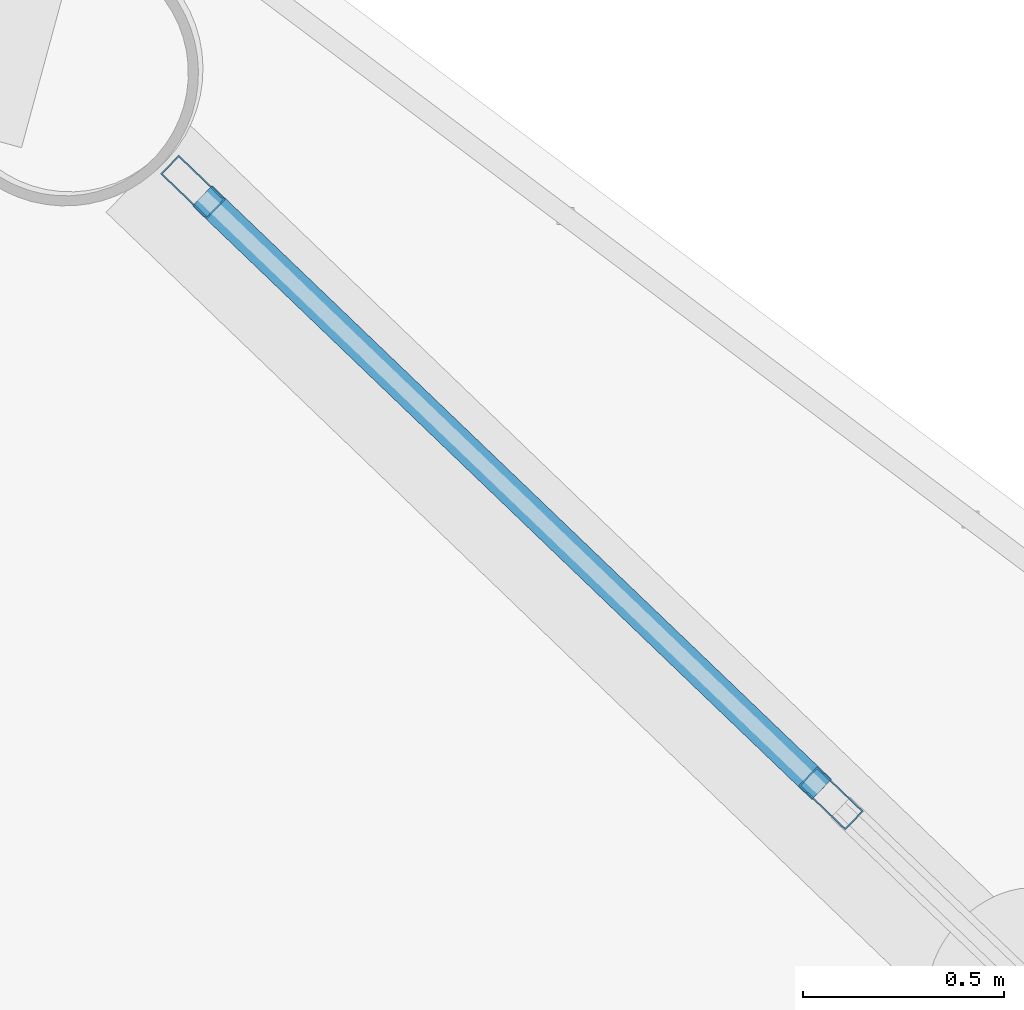
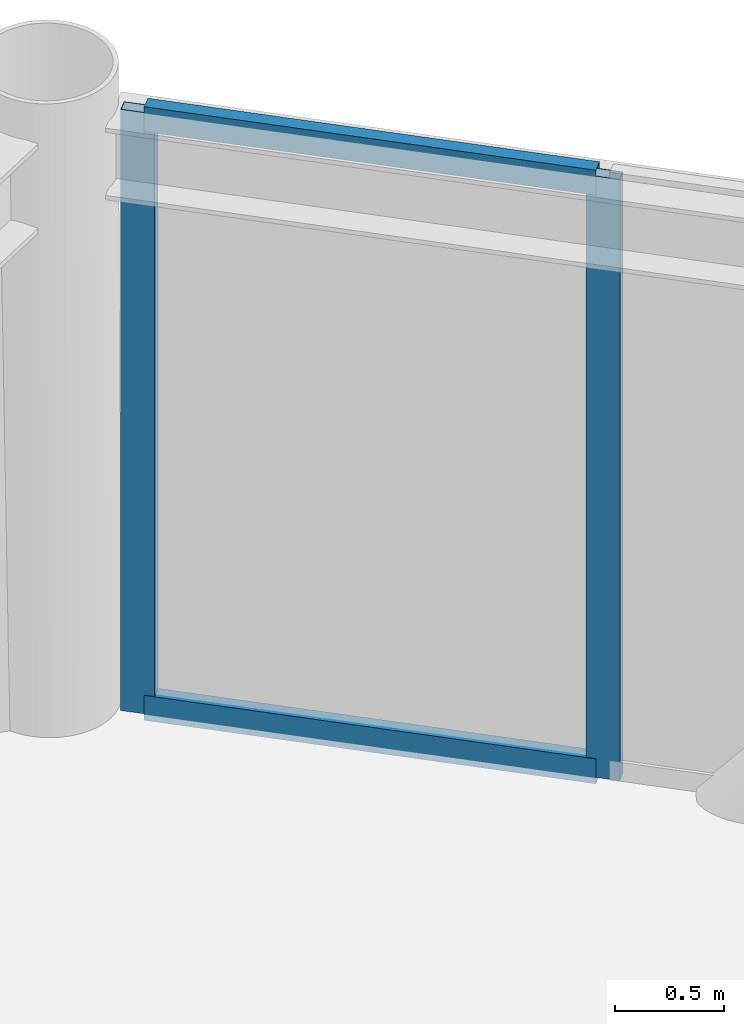
# One storey, part 21 of 28: 4 members, 1 element without a shape of its own.
"""IFC4 building model written with IfcOpenShell, lengths in metres."""

from ifc_helpers import new_model, si_unit, direction, frame, origin, origin_2d, place, context, subcontext, project, spatial, hollow_rectangle, extrude, material, layer, layer_set, material_profile, profile_set, type_object, element, aggregate, save


model = new_model("IFC4")

# Units and contexts
model_context = context("Model", 3, precision=1e-05, world=origin(), true_north=direction((0.0, 1.0)))
body_context = subcontext(model_context, "Body", "Model", "MODEL_VIEW")
ifc_project = project(units=[si_unit("LENGTHUNIT", "METRE"), si_unit("AREAUNIT", "SQUARE_METRE"), si_unit("VOLUMEUNIT", "CUBIC_METRE"), si_unit("PLANEANGLEUNIT", "RADIAN"), si_unit("MASSUNIT", "GRAM", prefix="KILO")], contexts=[model_context])

# Site, building, storey
site_placement = place(None, origin())
site = spatial("IfcSite", under=ifc_project, at=site_placement, CompositionType="ELEMENT")
building_placement = place(site_placement, origin())
building = spatial("IfcBuilding", under=site, at=building_placement, Name="Varnakorn Sky Granary", CompositionType="ELEMENT")
storey_placement = place(building_placement, frame((0.0, 0.0, 207.60009765625)))
storey = spatial("IfcBuildingStorey", under=building, at=storey_placement, Name="L52", CompositionType="ELEMENT", Elevation=207.60009765625)

# Curtain wall, members
ifc_material = material(Name="Anodised Bronze Aluminium Alloy 6063-T6", Category="aluminium")
ifc_layer = layer(ifc_material, 0.169921875, Name="Anodised Bronze Aluminium Alloy 6063-T6")
ifc_layer_set = layer_set([ifc_layer], Name="Anodised Bronze Aluminium Alloy 6063-T6")
curtain_wall_type = type_object("IfcCurtainWallType", Name="CW-LAB-1", PredefinedType="USERDEFINED", material=ifc_layer_set)
curtain_wall_placement = place(storey_placement, origin())
curtain_wall = element("IfcCurtainWall", 1, at=curtain_wall_placement, inside=storey, type_object=curtain_wall_type, Name="Unitised Curtain Wall CW5 CW-L52-B02", ObjectType="CURTAIN WALL", PredefinedType="USERDEFINED")
ifc_material_profile_1 = material_profile(ifc_material, hollow_rectangle(XDim=0.06494140625, YDim=0.159912109375, WallThickness=0.00341796875, at=origin_2d()), Name="ALU MULL 65x160")
ifc_profile_set_1 = profile_set([ifc_material_profile_1], Name="Anodised Bronze Aluminium Alloy 6063-T6")
member_type_1 = type_object("IfcMemberType", Name="CW-LAB-1-MULL", PredefinedType="MULLION", material=ifc_profile_set_1)
member_1_placement = place(storey_placement, frame((14.70751953125, 15.564453125, 0.0), z_axis=(0.0, 0.0, 1.0), x_axis=(0.691923166337, 0.721971143389, 0.0)))
member_1 = element("IfcMember", 2, at=member_1_placement, type_object=member_type_1, Name="CW5 mullion 1", PredefinedType="MULLION", context=body_context, shape_type="SweptSolid", body=[
    extrude(hollow_rectangle(XDim=0.06494140625, YDim=0.159912109375, WallThickness=0.00341796875, at=origin_2d()), origin(), (0.0, 0.0, 1.0), 3.35986328125),
])
member_2_placement = place(storey_placement, frame((16.29150390625, 14.04638671875, 0.0), z_axis=(0.0, 0.0, 1.0), x_axis=(0.691923166337, 0.721971143389, 0.0)))
member_2 = element("IfcMember", 3, at=member_2_placement, type_object=member_type_1, Name="CW5 mullion 2", PredefinedType="MULLION", context=body_context, shape_type="SweptSolid", body=[
    extrude(hollow_rectangle(XDim=0.06494140625, YDim=0.159912109375, WallThickness=0.00341796875, at=origin_2d()), origin(), (0.0, 0.0, 1.0), 3.35986328125),
])
ifc_material_profile_2 = material_profile(ifc_material, hollow_rectangle(XDim=0.070068359375, YDim=0.139892578125, WallThickness=0.00341796875, at=origin_2d()), Name="ALU TRAN 70x140")
ifc_profile_set_2 = profile_set([ifc_material_profile_2], Name="Anodised Bronze Aluminium Alloy 6063-T6")
member_type_2 = type_object("IfcMemberType", Name="CW-LAB-1-TRAN", PredefinedType="USERDEFINED", material=ifc_profile_set_2)
member_3_placement = place(storey_placement, frame((14.73095703125, 15.5419921875, 0.034912109375), z_axis=(0.72196911029, -0.691925287721, 0.0), x_axis=(0.691925287721, 0.72196911029, 0.0)))
member_3 = element("IfcMember", 4, at=member_3_placement, type_object=member_type_2, Name="CW5 transom 1.1", ObjectType="TRANSOM", PredefinedType="USERDEFINED", context=body_context, shape_type="SweptSolid", body=[
    extrude(hollow_rectangle(XDim=0.070068359375, YDim=0.139892578125, WallThickness=0.00341796875, at=origin_2d()), origin(), (0.0, 0.0, 1.0), 2.129150390625),
])
member_4_placement = place(storey_placement, frame((14.73095703125, 15.5419921875, 3.324951171875), z_axis=(0.72196911029, -0.691925287721, 0.0), x_axis=(0.691925287721, 0.72196911029, 0.0)))
member_4 = element("IfcMember", 5, at=member_4_placement, type_object=member_type_2, Name="CW5 transom 1.2", ObjectType="TRANSOM", PredefinedType="USERDEFINED", context=body_context, shape_type="SweptSolid", body=[
    extrude(hollow_rectangle(XDim=0.070068359375, YDim=0.139892578125, WallThickness=0.00341796875, at=origin_2d()), origin(), (0.0, 0.0, 1.0), 2.129150390625),
])
aggregate(curtain_wall, [member_1, member_2, member_3, member_4])

save(model, "model.ifc")
